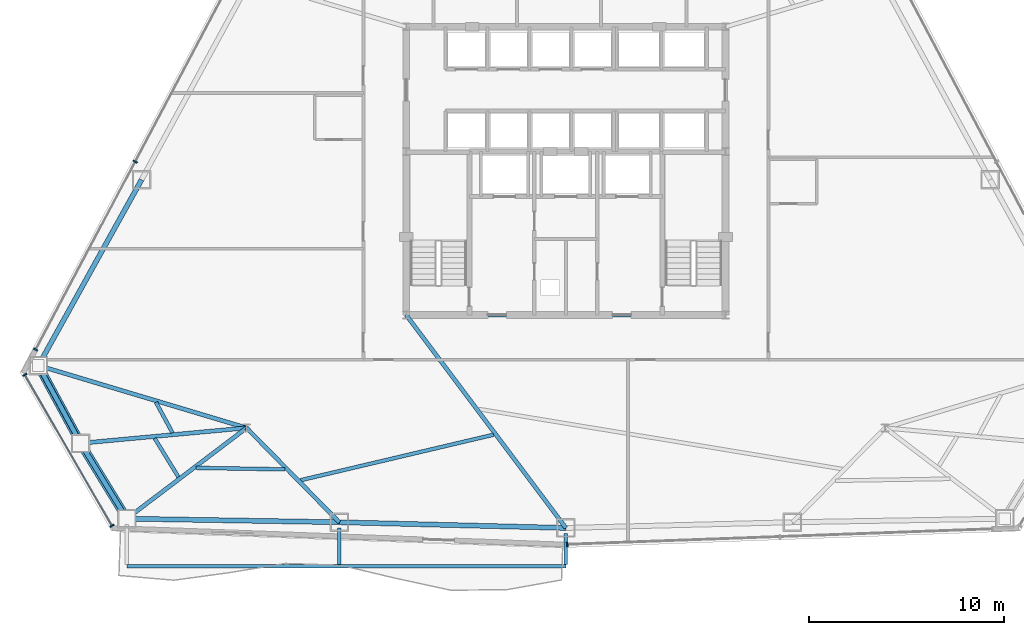
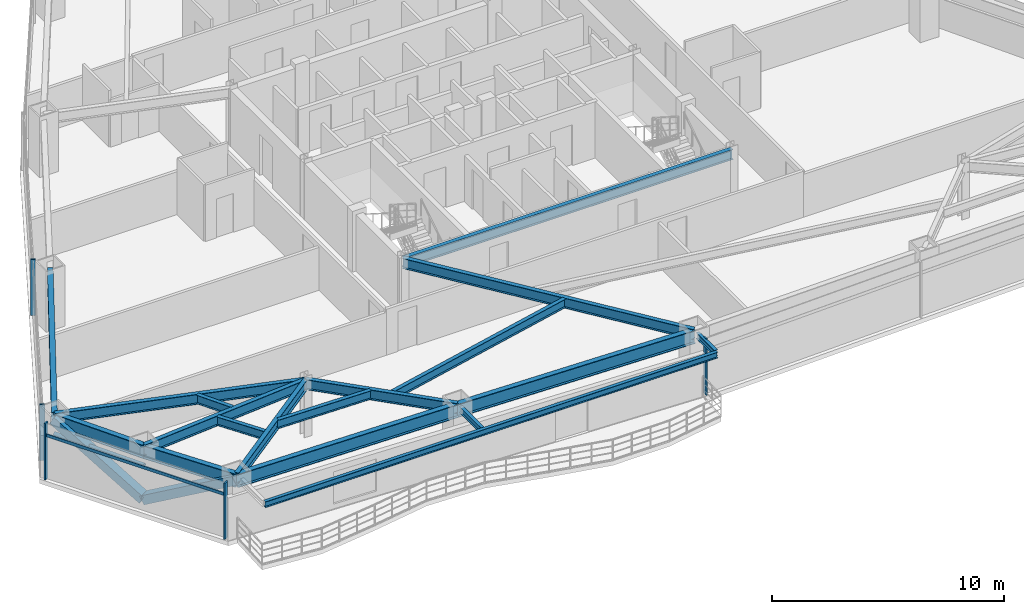
# One storey, part 4 of 13: 18 beams, 9 members, 3 elements without a shape of their own.
"""IFC4 building model written with IfcOpenShell, lengths in metres."""

from ifc_helpers import new_model, si_unit, direction, frame, origin, origin_2d, place, context, subcontext, project, spatial, rectangle, hollow_rectangle, hollow_circle, i_section, extrude, source, transform, mapped, material, layer, layer_set, material_profile, profile_set, type_object, type_shapes, element, aggregate, save


model = new_model("IFC4")

# Units and contexts
model_context = context("Model", 3, precision=1e-05, world=origin(), true_north=direction((0.0, 1.0)))
body_context = subcontext(model_context, "Body", "Model", "MODEL_VIEW")
ifc_project = project(units=[si_unit("LENGTHUNIT", "METRE"), si_unit("AREAUNIT", "SQUARE_METRE"), si_unit("VOLUMEUNIT", "CUBIC_METRE"), si_unit("PLANEANGLEUNIT", "RADIAN"), si_unit("MASSUNIT", "GRAM", prefix="KILO")], contexts=[model_context])

# Site, building, storey
site_placement = place(None, origin())
site = spatial("IfcSite", under=ifc_project, at=site_placement, CompositionType="ELEMENT")
building_placement = place(site_placement, origin())
building = spatial("IfcBuilding", under=site, at=building_placement, Name="Varakhsha Concourse Tower", CompositionType="ELEMENT")
storey_placement = place(building_placement, frame((0.0, 0.0, 95.800048828125)))
storey = spatial("IfcBuildingStorey", under=building, at=storey_placement, Name="L27", CompositionType="ELEMENT", Elevation=95.800048828125)

# Beams
ifc_material_1 = material(Name="Structural Steel ASTM A992 Grade 50", Category="steel")
ifc_material_profile_1 = material_profile(ifc_material_1, i_section(OverallWidth=0.1669921875, OverallDepth=0.31689453125, WebThickness=0.008056640625, FlangeThickness=0.012939453125, at=origin_2d()), Name="W12X35")
ifc_profile_set_1 = profile_set([ifc_material_profile_1], Name="Structural Steel ASTM A992 Grade 50")
beam_type_1 = type_object("IfcBeamType", Name="BM-EDGE-W12X35", PredefinedType="BEAM", material=ifc_profile_set_1)
beam_1_placement = place(storey_placement, frame((17.45068359375, 3.49951171875, 2.801513671875), z_axis=(1.0, 0.0, 0.0), x_axis=(0.0, 1.0, 0.0)))
element("IfcBeam", 1, at=beam_1_placement, inside=storey, type_object=beam_type_1, Name="L28 Sky-Loggia Outer Header Girder", PredefinedType="BEAM", context=body_context, shape_type="SweptSolid", body=[
    extrude(i_section(OverallWidth=0.1669921875, OverallDepth=0.31689453125, WebThickness=0.008056640625, FlangeThickness=0.012939453125, at=origin_2d()), origin(), (0.0, 0.0, 1.0), 22.54931640625),
])
beam_2_placement = place(storey_placement, frame((28.3642578125, 5.459228515625, 2.801513671875), z_axis=(0.0, -1.0, 0.0), x_axis=(1.0, 0.0, 0.0)))
element("IfcBeam", 2, at=beam_2_placement, inside=storey, type_object=beam_type_1, Name="L28 Sky-Loggia Support Bracket 2", PredefinedType="BEAM", context=body_context, shape_type="SweptSolid", body=[
    extrude(i_section(OverallWidth=0.1669921875, OverallDepth=0.31689453125, WebThickness=0.008056640625, FlangeThickness=0.012939453125, at=origin_2d()), origin(), (0.0, 0.0, 1.0), 1.875732421875),
])
beam_3_placement = place(storey_placement, frame((40.0, 5.16650390625, 2.801513671875), z_axis=(0.0, -1.0, 0.0), x_axis=(1.0, 0.0, 0.0)))
element("IfcBeam", 3, at=beam_3_placement, inside=storey, type_object=beam_type_1, Name="L28 Sky-Loggia Support Bracket 3", PredefinedType="BEAM", context=body_context, shape_type="SweptSolid", body=[
    extrude(i_section(OverallWidth=0.1669921875, OverallDepth=0.31689453125, WebThickness=0.008056640625, FlangeThickness=0.012939453125, at=origin_2d()), origin(), (0.0, 0.0, 1.0), 1.5830078125),
])
ifc_material_profile_2 = material_profile(ifc_material_1, i_section(OverallWidth=0.19091796875, OverallDepth=0.45703125, WebThickness=0.009033203125, FlangeThickness=0.013916015625, at=origin_2d()), Name="W18X50")
ifc_profile_set_2 = profile_set([ifc_material_profile_2], Name="Structural Steel ASTM A992 Grade 50")
beam_type_2 = type_object("IfcBeamType", Name="BM-JST-W18X50", PredefinedType="JOIST", material=ifc_profile_set_2)
beam_4_placement = place(storey_placement, frame((18.948486328125, 11.91259765625, 2.741455078125), z_axis=(0.477043404459, -0.878879735949, 0.0), x_axis=(0.878879735949, 0.477043404459, 0.0)))
element("IfcBeam", 4, at=beam_4_placement, inside=storey, type_object=beam_type_2, Name="BM-TJST-L27-07", PredefinedType="JOIST", context=body_context, shape_type="SweptSolid", body=[
    extrude(i_section(OverallWidth=0.19091796875, OverallDepth=0.45703125, WebThickness=0.009033203125, FlangeThickness=0.013916015625, at=origin_2d()), origin(), (0.0, 0.0, 1.0), 1.779052734375),
])
beam_5_placement = place(storey_placement, frame((18.88427734375, 10.06396484375, 2.741455078125), z_axis=(0.522613786352, -0.852569545735, 0.0), x_axis=(0.852569545735, 0.522613786352, 0.0)))
element("IfcBeam", 5, at=beam_5_placement, inside=storey, type_object=beam_type_2, Name="BM-TJST-L27-08", PredefinedType="JOIST", context=body_context, shape_type="SweptSolid", body=[
    extrude(i_section(OverallWidth=0.19091796875, OverallDepth=0.45703125, WebThickness=0.009033203125, FlangeThickness=0.013916015625, at=origin_2d()), origin(), (0.0, 0.0, 1.0), 2.323974609375),
])
beam_6_placement = place(storey_placement, frame((21.004150390625, 8.54638671875, 2.741455078125), z_axis=(0.999860072798, -0.016728264219, 0.0), x_axis=(0.016728264219, 0.999860072798, 0.0)))
element("IfcBeam", 6, at=beam_6_placement, inside=storey, type_object=beam_type_2, Name="BM-TJST-L27-09", PredefinedType="JOIST", context=body_context, shape_type="SweptSolid", body=[
    extrude(i_section(OverallWidth=0.19091796875, OverallDepth=0.45703125, WebThickness=0.009033203125, FlangeThickness=0.013916015625, at=origin_2d()), origin(), (0.0, 0.0, 1.0), 4.582763671875),
])
beam_7_placement = place(storey_placement, frame((26.375, 7.91162109375, 2.741455078125), z_axis=(0.973287768432, 0.229588588178, 0.0), x_axis=(-0.229588588178, 0.973287768432, 0.0)))
element("IfcBeam", 7, at=beam_7_placement, inside=storey, type_object=beam_type_2, Name="BM-TJST-L27-10", PredefinedType="JOIST", context=body_context, shape_type="SweptSolid", body=[
    extrude(i_section(OverallWidth=0.19091796875, OverallDepth=0.45703125, WebThickness=0.009033203125, FlangeThickness=0.013916015625, at=origin_2d()), origin(), (0.0, 0.0, 1.0), 10.181884765625),
])
ifc_material_profile_3 = material_profile(ifc_material_1, i_section(OverallWidth=0.2109375, OverallDepth=0.5390625, WebThickness=0.011962890625, FlangeThickness=0.01904296875, at=origin_2d()), Name="W21X73")
ifc_profile_set_3 = profile_set([ifc_material_profile_3], Name="Structural Steel ASTM A992 Grade 50")
beam_type_3 = type_object("IfcBeamType", Name="BM-RAD-W21X73", PredefinedType="BEAM", material=ifc_profile_set_3)
beam_8_placement = place(storey_placement, frame((31.800048828125, 16.39990234375, 2.700439453125), z_axis=(1.0, 0.0, 0.0), x_axis=(0.0, 1.0, 0.0)))
element("IfcBeam", 8, at=beam_8_placement, inside=storey, type_object=beam_type_3, Name="BM-TCORE-L27-CS", PredefinedType="BEAM", context=body_context, shape_type="SweptSolid", body=[
    extrude(i_section(OverallWidth=0.2109375, OverallDepth=0.5390625, WebThickness=0.011962890625, FlangeThickness=0.01904296875, at=origin_2d()), origin(), (0.0, 0.0, 1.0), 16.39990234375),
])
beam_9_placement = place(storey_placement, frame((23.60009765625, 10.60009765625, 2.700439453125), z_axis=(-0.957930379652, 0.287000675505, 0.0), x_axis=(-0.287000675505, -0.957930379652, 0.0)))
element("IfcBeam", 9, at=beam_9_placement, inside=storey, type_object=beam_type_3, Name="L27 Radial Floor Girder 07", PredefinedType="BEAM", context=body_context, shape_type="SweptSolid", body=[
    extrude(i_section(OverallWidth=0.2109375, OverallDepth=0.5390625, WebThickness=0.011962890625, FlangeThickness=0.01904296875, at=origin_2d()), origin(), (0.0, 0.0, 1.0), 11.16064453125),
])
beam_10_placement = place(storey_placement, frame((23.60009765625, 10.60009765625, 2.700439453125), z_axis=(-0.995734610944, -0.092263668731, 0.0), x_axis=(0.092263668731, -0.995734610944, 0.0)))
element("IfcBeam", 10, at=beam_10_placement, inside=storey, type_object=beam_type_3, Name="L27 Radial Floor Girder 08", PredefinedType="BEAM", context=body_context, shape_type="SweptSolid", body=[
    extrude(i_section(OverallWidth=0.2109375, OverallDepth=0.5390625, WebThickness=0.011962890625, FlangeThickness=0.01904296875, at=origin_2d()), origin(), (0.0, 0.0, 1.0), 8.560302734375),
])
beam_11_placement = place(storey_placement, frame((23.60009765625, 10.60009765625, 2.700439453125), z_axis=(-0.79681521448, -0.604223066403, 0.0), x_axis=(0.604223066403, -0.79681521448, 0.0)))
element("IfcBeam", 11, at=beam_11_placement, inside=storey, type_object=beam_type_3, Name="L27 Radial Floor Girder 09", PredefinedType="BEAM", context=body_context, shape_type="SweptSolid", body=[
    extrude(i_section(OverallWidth=0.2109375, OverallDepth=0.5390625, WebThickness=0.011962890625, FlangeThickness=0.01904296875, at=origin_2d()), origin(), (0.0, 0.0, 1.0), 7.717529296875),
])
beam_12_placement = place(storey_placement, frame((23.60009765625, 10.60009765625, 2.700439453125), z_axis=(0.701063539326, -0.713098810704, 0.0), x_axis=(0.713098810704, 0.701063539326, 0.0)))
element("IfcBeam", 12, at=beam_12_placement, inside=storey, type_object=beam_type_3, Name="L27 Radial Floor Girder 10", PredefinedType="BEAM", context=body_context, shape_type="SweptSolid", body=[
    extrude(i_section(OverallWidth=0.2109375, OverallDepth=0.5390625, WebThickness=0.011962890625, FlangeThickness=0.01904296875, at=origin_2d()), origin(), (0.0, 0.0, 1.0), 6.795654296875),
])
beam_13_placement = place(storey_placement, frame((31.800048828125, 16.39990234375, 2.700439453125), z_axis=(0.599817112164, -0.800137133218, 0.0), x_axis=(0.800137133218, 0.599817112164, 0.0)))
element("IfcBeam", 13, at=beam_13_placement, inside=storey, type_object=beam_type_3, Name="L27 Radial Floor Girder 11", PredefinedType="BEAM", context=body_context, shape_type="SweptSolid", body=[
    extrude(i_section(OverallWidth=0.2109375, OverallDepth=0.5390625, WebThickness=0.011962890625, FlangeThickness=0.01904296875, at=origin_2d()), origin(), (0.0, 0.0, 1.0), 13.670654296875),
])
ifc_material_profile_4 = material_profile(ifc_material_1, i_section(OverallWidth=0.25390625, OverallDepth=0.701904296875, WebThickness=0.014892578125, FlangeThickness=0.028076171875, at=origin_2d()), Name="W27X129")
ifc_profile_set_4 = profile_set([ifc_material_profile_4], Name="Structural Steel ASTM A992 Grade 50")
beam_type_4 = type_object("IfcBeamType", Name="BM-SPAN-W27X129", PredefinedType="SPANDREL", material=ifc_profile_set_4)
beam_14_placement = place(storey_placement, frame((18.20751953125, 23.345947265625, 2.618896484375), z_axis=(-0.485437813763, -0.874271198753, 0.0), x_axis=(0.874271198753, -0.485437813763, 0.0)))
element("IfcBeam", 14, at=beam_14_placement, inside=storey, type_object=beam_type_4, Name="BM-SPAN-L27-06", PredefinedType="SPANDREL", context=body_context, shape_type="SweptSolid", body=[
    extrude(i_section(OverallWidth=0.25390625, OverallDepth=0.701904296875, WebThickness=0.014892578125, FlangeThickness=0.028076171875, at=origin_2d()), origin(), (0.0, 0.0, 1.0), 10.9150390625),
])
beam_15_placement = place(storey_placement, frame((12.908935546875, 13.80322265625, 2.618896484375), z_axis=(0.47707407482, -0.878863087821, 0.0), x_axis=(0.878863087821, 0.47707407482, 0.0)))
element("IfcBeam", 15, at=beam_15_placement, inside=storey, type_object=beam_type_4, Name="BM-SPAN-L27-07", PredefinedType="SPANDREL", context=body_context, shape_type="SweptSolid", body=[
    extrude(i_section(OverallWidth=0.25390625, OverallDepth=0.701904296875, WebThickness=0.014892578125, FlangeThickness=0.028076171875, at=origin_2d()), origin(), (0.0, 0.0, 1.0), 4.543212890625),
])
beam_16_placement = place(storey_placement, frame((15.076416015625, 9.810302734375, 2.618896484375), z_axis=(0.522612462801, -0.852570357053, 0.0), x_axis=(0.852570357053, 0.522612462801, 0.0)))
element("IfcBeam", 16, at=beam_16_placement, inside=storey, type_object=beam_type_4, Name="BM-SPAN-L27-08", PredefinedType="SPANDREL", context=body_context, shape_type="SweptSolid", body=[
    extrude(i_section(OverallWidth=0.25390625, OverallDepth=0.701904296875, WebThickness=0.014892578125, FlangeThickness=0.028076171875, at=origin_2d()), origin(), (0.0, 0.0, 1.0), 4.54296875),
])
beam_17_placement = place(storey_placement, frame((17.45068359375, 5.93701171875, 2.598876953125), z_axis=(0.999859657794, -0.016753050953, 0.0), x_axis=(0.016753050953, 0.999859657794, 0.0)))
element("IfcBeam", 17, at=beam_17_placement, inside=storey, type_object=beam_type_4, Name="BM-SPAN-L27-09", PredefinedType="SPANDREL", context=body_context, shape_type="SweptSolid", body=[
    extrude(i_section(OverallWidth=0.25390625, OverallDepth=0.701904296875, WebThickness=0.014892578125, FlangeThickness=0.028076171875, at=origin_2d()), origin(), (0.0, 0.0, 1.0), 10.9150390625),
])
beam_18_placement = place(storey_placement, frame((28.3642578125, 5.754150390625, 2.598876953125), z_axis=(0.99968370363, -0.025149407483, 0.0), x_axis=(0.025149407483, 0.99968370363, 0.0)))
element("IfcBeam", 18, at=beam_18_placement, inside=storey, type_object=beam_type_4, Name="BM-SPAN-L27-10", PredefinedType="SPANDREL", context=body_context, shape_type="SweptSolid", body=[
    extrude(i_section(OverallWidth=0.25390625, OverallDepth=0.701904296875, WebThickness=0.014892578125, FlangeThickness=0.028076171875, at=origin_2d()), origin(), (0.0, 0.0, 1.0), 11.639404296875),
])

# Members
ifc_material_2 = material(Name="Structural Steel ASTM A500 Grade C", Category="steel")
ifc_material_profile_5 = material_profile(ifc_material_2, hollow_rectangle(XDim=0.449951171875, YDim=0.449951171875, WallThickness=0.01904296875, at=origin_2d()), Name="HSS 450x450x19")
ifc_profile_set_5 = profile_set([ifc_material_profile_5], Name="Structural Steel ASTM A500 Grade C")
member_type_1 = type_object("IfcMemberType", Name="MB-TUBE-HSS450", PredefinedType="BRACE", material=ifc_profile_set_5)
shared_shape_1 = source(origin(), body_context, "Body", "SweptSolid", [
    extrude(hollow_rectangle(XDim=0.449951171875, YDim=0.449951171875, WallThickness=0.01904296875, at=origin_2d()), origin(), (0.0, 0.0, 1.0), 5.209716796875),
])
member_1_placement = place(storey_placement, frame((15.076416015625, 9.810302734375, 0.119873046875), z_axis=(0.455728834784, -0.743458916591, 0.48946917011), x_axis=(0.852570357053, 0.522612462801, 0.0)))
element("IfcMember", 19, at=member_1_placement, inside=storey, type_object=member_type_1, Name="L27 Wind-Corner Tube Brace B04", PredefinedType="BRACE", context=body_context, shape_type="MappedRepresentation", body=[
    mapped(shared_shape_1, transform((0.0, 0.0, 0.0), scale=1.0)),
])
shared_shape_2 = source(origin(), body_context, "Body", "SweptSolid", [
    extrude(hollow_rectangle(XDim=0.449951171875, YDim=0.449951171875, WallThickness=0.01904296875, at=origin_2d()), origin(), (0.0, 0.0, 1.0), 5.2099609375),
])
type_shapes(member_type_1, [shared_shape_1, shared_shape_2])
member_2_placement = place(storey_placement, frame((15.076416015625, 9.810302734375, 0.119873046875), z_axis=(-0.416022891855, 0.766394953401, 0.489452478647), x_axis=(-0.878863087821, -0.47707407482, 0.0)))
element("IfcMember", 20, at=member_2_placement, inside=storey, type_object=member_type_1, Name="L27 Wind-Corner Tube Brace B03", PredefinedType="BRACE", context=body_context, shape_type="MappedRepresentation", body=[
    mapped(shared_shape_2, transform((0.0, 0.0, 0.0), scale=1.0)),
])
ifc_material_profile_6 = material_profile(ifc_material_2, hollow_circle(Radius=0.136474609375, WallThickness=0.011962890625, at=origin_2d()), Name="CHS 273x12")
ifc_profile_set_6 = profile_set([ifc_material_profile_6], Name="Structural Steel ASTM A500 Grade C")
member_type_2 = type_object("IfcMemberType", Name="MB-WIND-CHS273", PredefinedType="COLLAR", material=ifc_profile_set_6)
shared_shape_3 = source(origin(), body_context, "Body", "SweptSolid", [
    extrude(hollow_circle(Radius=0.136474609375, WallThickness=0.011962890625, at=origin_2d()), origin(), (0.0, 0.0, 1.0), 4.543212890625),
])
type_shapes(member_type_2, [shared_shape_3])
member_3_placement = place(storey_placement, frame((12.908935546875, 13.80322265625, 1.800048828125), z_axis=(0.47707407482, -0.878863087821, 0.0), x_axis=(0.878863087821, 0.47707407482, 0.0)))
element("IfcMember", 21, at=member_3_placement, inside=storey, type_object=member_type_2, Name="L27 Wind-Corner Collar Tie 2", PredefinedType="COLLAR", context=body_context, shape_type="MappedRepresentation", body=[
    mapped(shared_shape_3, transform((0.0, 0.0, 0.0), scale=1.0)),
])

# Curtain wall, members
ifc_material_3 = material(Name="Anodised Bronze Architectural Aluminium AA 6063-T6", Category="aluminium")
ifc_layer = layer(ifc_material_3, 0.199951171875, Name="CW-SYS-03")
ifc_layer_set = layer_set([ifc_layer], Name="Anodised Bronze Architectural Aluminium AA 6063-T6")
curtain_wall_type = type_object("IfcCurtainWallType", Name="CW-SYS-03", PredefinedType="NOTDEFINED", material=ifc_layer_set)
curtain_wall_1_placement = place(storey_placement, origin())
curtain_wall_1 = element("IfcCurtainWall", 22, at=curtain_wall_1_placement, inside=storey, type_object=curtain_wall_type, Name="L27 Crystal Curtain Wall F3", PredefinedType="NOTDEFINED")
ifc_material_profile_7 = material_profile(ifc_material_3, rectangle(XDim=0.074951171875, YDim=0.219970703125, at=origin_2d()), Name="CWM-220X75")
ifc_profile_set_7 = profile_set([ifc_material_profile_7], Name="Anodised Bronze Architectural Aluminium AA 6063-T6")
member_type_3 = type_object("IfcMemberType", Name="CWM-220X75", PredefinedType="MULLION", material=ifc_profile_set_7)
shared_shape_4 = source(origin(), body_context, "Body", "SweptSolid", [
    extrude(rectangle(XDim=0.074951171875, YDim=0.219970703125, at=origin_2d()), origin(), (0.0, 0.0, 1.0), 2.969970703125),
])
type_shapes(member_type_3, [shared_shape_4])
member_4_placement = place(storey_placement, frame((12.7705078125, 14.62060546875, 0.0), z_axis=(0.0, 0.0, 1.0), x_axis=(0.468124153157, 0.883662705579, 0.0)))
member_4 = element("IfcMember", 23, at=member_4_placement, type_object=member_type_3, Name="CW-L27-F3 Mullion 00", PredefinedType="MULLION", context=body_context, shape_type="MappedRepresentation", body=[
    mapped(shared_shape_4, transform((0.0, 0.0, 0.0), scale=1.0)),
])
member_5_placement = place(storey_placement, frame((17.885009765625, 24.27490234375, 0.0), z_axis=(0.0, 0.0, 1.0), x_axis=(0.468124153157, 0.883662705579, 0.0)))
member_5 = element("IfcMember", 24, at=member_5_placement, type_object=member_type_3, Name="CW-L27-F3 Mullion 01", PredefinedType="MULLION", context=body_context, shape_type="MappedRepresentation", body=[
    mapped(shared_shape_4, transform((0.0, 0.0, 0.0), scale=1.0)),
])
aggregate(curtain_wall_1, [member_4, member_5])

curtain_wall_2_placement = place(storey_placement, origin())
curtain_wall_2 = element("IfcCurtainWall", 25, at=curtain_wall_2_placement, inside=storey, type_object=curtain_wall_type, Name="L27 Chamfer Curtain Wall F4", PredefinedType="NOTDEFINED")
member_6_placement = place(storey_placement, frame((16.69287109375, 5.570556640625, 0.0), z_axis=(0.0, 0.0, 1.0), x_axis=(-0.5, 0.866025403784, 0.0)))
member_6 = element("IfcMember", 26, at=member_6_placement, type_object=member_type_3, Name="CW-L27-F4 Mullion 00", PredefinedType="MULLION", context=body_context, shape_type="MappedRepresentation", body=[
    mapped(shared_shape_4, transform((0.0, 0.0, 0.0), scale=1.0)),
])
member_7_placement = place(storey_placement, frame((12.212890625, 13.330078125, 0.0), z_axis=(0.0, 0.0, 1.0), x_axis=(-0.5, 0.866025403784, 0.0)))
member_7 = element("IfcMember", 27, at=member_7_placement, type_object=member_type_3, Name="CW-L27-F4 Mullion 01", PredefinedType="MULLION", context=body_context, shape_type="MappedRepresentation", body=[
    mapped(shared_shape_4, transform((0.0, 0.0, 0.0), scale=1.0)),
])

# Curtain wall, member
curtain_wall_3_placement = place(storey_placement, origin())
curtain_wall_3 = element("IfcCurtainWall", 28, at=curtain_wall_3_placement, inside=storey, type_object=curtain_wall_type, Name="L27 Crystal Curtain Wall F6", PredefinedType="NOTDEFINED")
member_8_placement = place(storey_placement, frame((40.07421875, 4.6123046875, 0.0), z_axis=(0.0, 0.0, 1.0), x_axis=(-0.999336427987, -0.03642394403, 0.0)))
member_8 = element("IfcMember", 29, at=member_8_placement, type_object=member_type_3, Name="CW-L27-F6 Mullion 02", PredefinedType="MULLION", context=body_context, shape_type="MappedRepresentation", body=[
    mapped(shared_shape_4, transform((0.0, 0.0, 0.0), scale=1.0)),
])
aggregate(curtain_wall_3, [member_8])

# Member
ifc_material_profile_8 = material_profile(ifc_material_3, rectangle(XDim=0.06494140625, YDim=0.159912109375, at=origin_2d()), Name="CWT-160X65")
ifc_profile_set_8 = profile_set([ifc_material_profile_8], Name="Anodised Bronze Architectural Aluminium AA 6063-T6")
member_type_4 = type_object("IfcMemberType", Name="CWT-160X65", PredefinedType="USERDEFINED", material=ifc_profile_set_8)
shared_shape_5 = source(origin(), body_context, "Body", "SweptSolid", [
    extrude(rectangle(XDim=0.06494140625, YDim=0.159912109375, at=origin_2d()), origin(), (0.0, 0.0, 1.0), 8.9599609375),
])
type_shapes(member_type_4, [shared_shape_5])
member_9_placement = place(storey_placement, frame((16.69287109375, 5.570556640625, 2.320068359375), z_axis=(-0.500001561196, 0.866024502425, 0.0), x_axis=(-0.866024502425, -0.500001561196, 0.0)))
member_9 = element("IfcMember", 30, at=member_9_placement, type_object=member_type_4, Name="CW-L27-F4 Transom 01", ObjectType="TRANSOM", PredefinedType="USERDEFINED", context=body_context, shape_type="MappedRepresentation", body=[
    mapped(shared_shape_5, transform((0.0, 0.0, 0.0), scale=1.0)),
])

aggregate(curtain_wall_2, [member_6, member_7, member_9])

save(model, "model.ifc")
